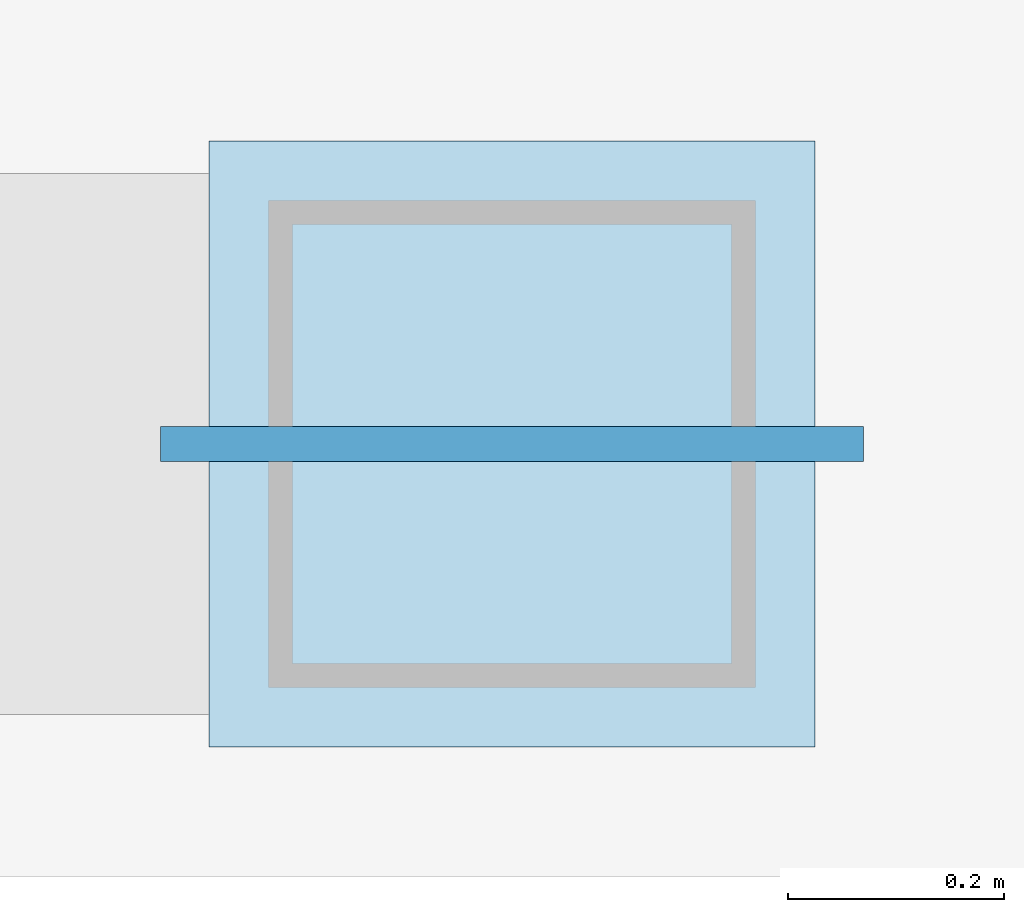
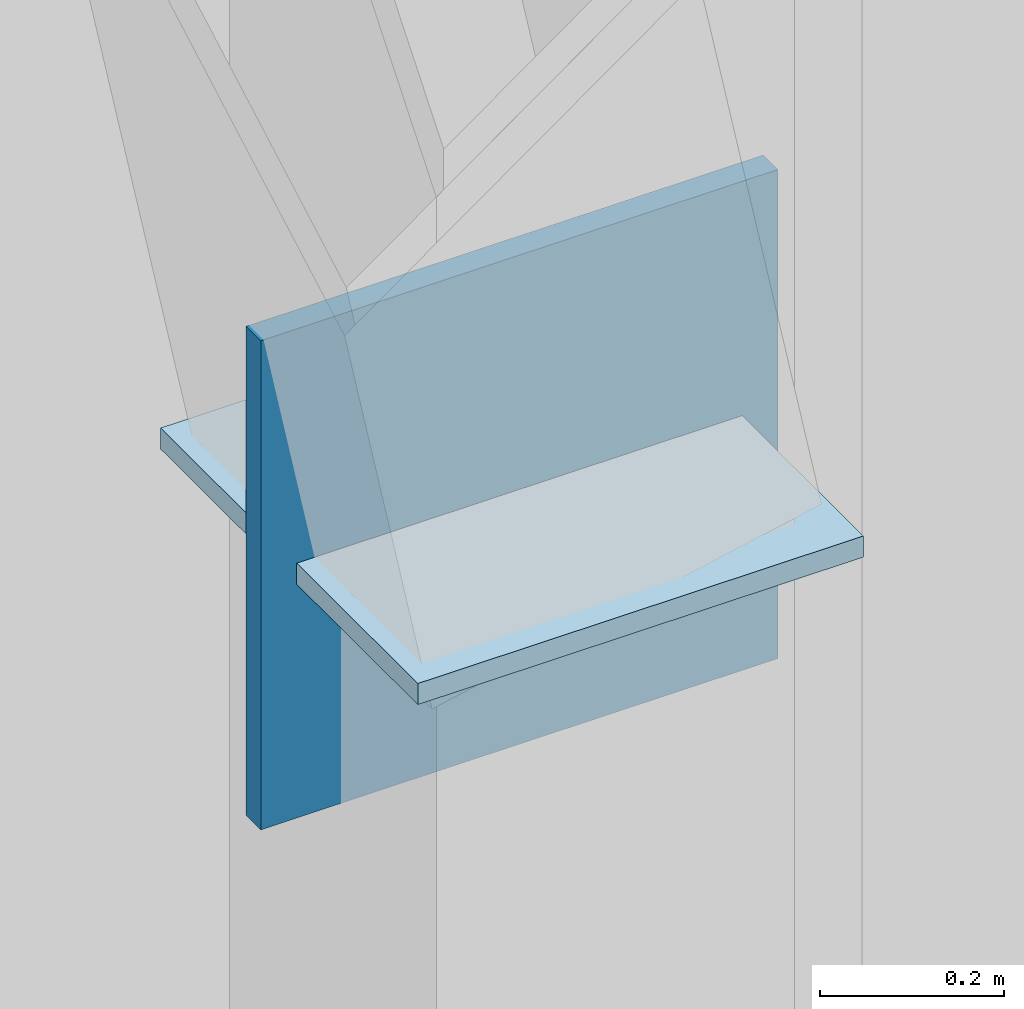
# One storey, part 9 of 20: 2 plates.
"""IFC4 building model written with IfcOpenShell, lengths in metres."""

from ifc_helpers import new_model, si_unit, direction, frame, origin, origin_2d, place, context, subcontext, project, spatial, rectangle, extrude, material, layer, layer_set, type_object, element, save


model = new_model("IFC4")

# Units and contexts
model_context = context("Model", 3, precision=1e-05, world=origin(), true_north=direction((0.0, 1.0)))
body_context = subcontext(model_context, "Body", "Model", "MODEL_VIEW")
ifc_project = project(units=[si_unit("LENGTHUNIT", "METRE"), si_unit("AREAUNIT", "SQUARE_METRE"), si_unit("VOLUMEUNIT", "CUBIC_METRE"), si_unit("PLANEANGLEUNIT", "RADIAN"), si_unit("MASSUNIT", "GRAM", prefix="KILO")], contexts=[model_context])

# Site, building, storey
site_placement = place(None, origin())
site = spatial("IfcSite", under=ifc_project, at=site_placement, CompositionType="ELEMENT")
building_placement = place(site_placement, origin())
building = spatial("IfcBuilding", under=site, at=building_placement, Name="Solmarez Civic Tower", CompositionType="ELEMENT")
storey_placement = place(building_placement, origin())
storey = spatial("IfcBuildingStorey", under=building, at=storey_placement, Name="L00", CompositionType="ELEMENT", Elevation=0.0)

# Plates
ifc_material = material(Name="Steel S355", Category="steel")
ifc_layer_1 = layer(ifc_material, 0.028076171875)
ifc_layer_set_1 = layer_set([ifc_layer_1], Name="Steel S355")
plate_type_1 = type_object("IfcPlateType", Name="PLT-CAP-540", PredefinedType="USERDEFINED", material=ifc_layer_set_1)
plate_1_placement = place(storey_placement, frame((12.0, -28.14990234375, 2.3857421875), z_axis=(0.0, 0.0, 1.0), x_axis=(1.0, 0.0, 0.0)))
element("IfcPlate", 1, at=plate_1_placement, inside=storey, type_object=plate_type_1, Name="Steel Member End Cap Plate PLT-ARCH-NODE-END", ObjectType="CAP_PLATE", PredefinedType="USERDEFINED", context=body_context, shape_type="SweptSolid", body=[
    extrude(rectangle(XDim=0.56005859375, YDim=0.56005859375, at=origin_2d()), origin(), (0.0, 0.0, 1.0), 0.028076171875),
])
ifc_layer_2 = layer(ifc_material, 0.031982421875)
ifc_layer_set_2 = layer_set([ifc_layer_2], Name="Steel S355")
plate_type_2 = type_object("IfcPlateType", Name="PLT-GUSSET-32", PredefinedType="USERDEFINED", material=ifc_layer_set_2)
plate_2_placement = place(storey_placement, frame((12.0, -28.14990234375, 2.074951171875), z_axis=(0.0, 0.0, 1.0), x_axis=(1.0, 0.0, 0.0)))
element("IfcPlate", 2, at=plate_2_placement, inside=storey, type_object=plate_type_2, Name="L00 Structural Gusset Plate GUS-ARCH-NODE-END", ObjectType="GUSSET_PLATE", PredefinedType="USERDEFINED", context=body_context, shape_type="SweptSolid", body=[
    extrude(rectangle(XDim=0.64990234375, YDim=0.031982421875, at=origin_2d()), origin(), (0.0, 0.0, 1.0), 0.64990234375),
])

save(model, "model.ifc")
